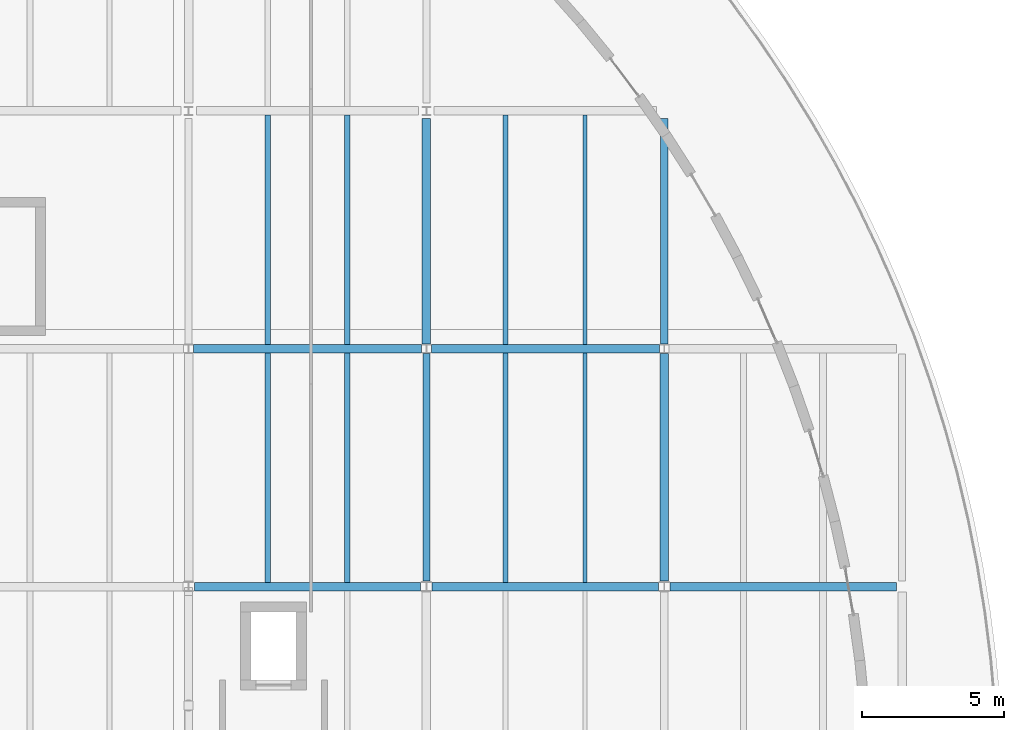
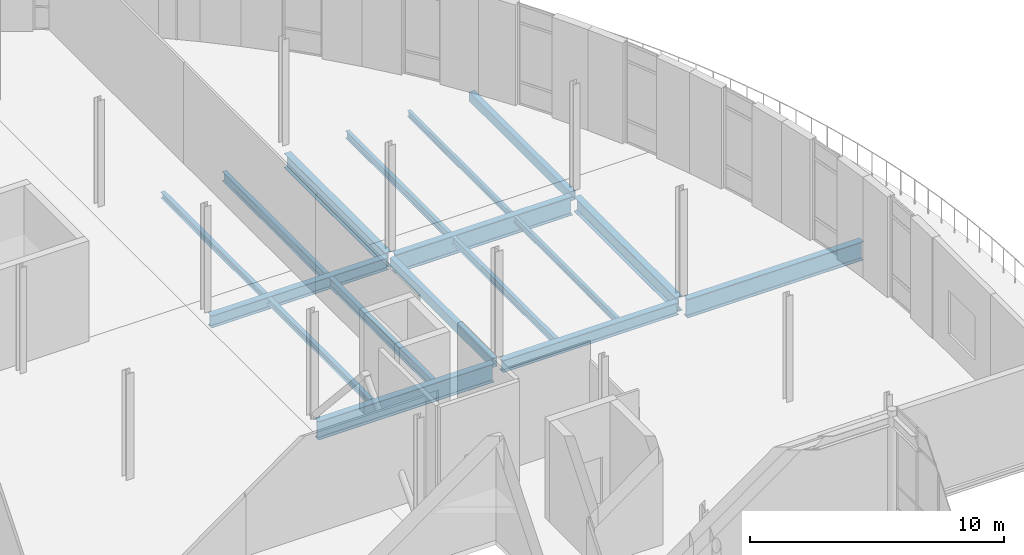
# One storey, part 52 of 91: 17 beams.
"""IFC4 building model written with IfcOpenShell, lengths in metres."""

from ifc_helpers import new_model, si_unit, direction, frame, origin, origin_2d, place, context, subcontext, project, spatial, hollow_rectangle, i_section, extrude, material, material_profile, profile_set, type_object, element, save


model = new_model("IFC4")

# Units and contexts
model_context = context("Model", 3, precision=1e-05, world=origin(), true_north=direction((0.0, 1.0)))
body_context = subcontext(model_context, "Body", "Model", "MODEL_VIEW")
ifc_project = project(units=[si_unit("LENGTHUNIT", "METRE"), si_unit("AREAUNIT", "SQUARE_METRE"), si_unit("VOLUMEUNIT", "CUBIC_METRE"), si_unit("PLANEANGLEUNIT", "RADIAN"), si_unit("MASSUNIT", "GRAM", prefix="KILO"), si_unit("THERMODYNAMICTEMPERATUREUNIT", "KELVIN")], contexts=[model_context])

# Site, building, storey
site_placement = place(None, origin())
site = spatial("IfcSite", under=ifc_project, at=site_placement, CompositionType="ELEMENT")
building_placement = place(site_placement, origin())
building = spatial("IfcBuilding", under=site, at=building_placement, Name="Lustrewick Department Store", CompositionType="ELEMENT")
storey_placement = place(building_placement, frame((0.0, 0.0, 21.60009765625)))
storey = spatial("IfcBuildingStorey", under=building, at=storey_placement, Name="L05", CompositionType="ELEMENT", Elevation=21.60009765625)

# Beams
ifc_material_1 = material(Name="Structural steel Q355B", Category="steel")
ifc_material_profile_1 = material_profile(ifc_material_1, i_section(OverallWidth=0.198974609375, OverallDepth=0.446044921875, WebThickness=0.008056640625, FlangeThickness=0.011962890625, FilletRadius=0.01611328125, at=origin_2d()), Name="HN 446x199x8x12")
ifc_profile_set_1 = profile_set([ifc_material_profile_1], Name="Structural steel Q355B")
beam_type_1 = type_object("IfcBeamType", Name="B04", PredefinedType="JOIST", material=ifc_profile_set_1)
beam_1_placement = place(storey_placement, frame((140.0, 67.349609375, -0.47802734375), z_axis=(0.0, 1.0, 0.0), x_axis=(-1.0, 0.0, 0.0)))
element("IfcBeam", 1, at=beam_1_placement, inside=storey, type_object=beam_type_1, Name="L05 V4 Secondary Joist B04", PredefinedType="JOIST", context=body_context, shape_type="SweptSolid", body=[
    extrude(i_section(OverallWidth=0.198974609375, OverallDepth=0.446044921875, WebThickness=0.008056640625, FlangeThickness=0.011962890625, FilletRadius=0.01611328125, at=origin_2d()), origin(), (0.0, 0.0, 1.0), 8.100341796875),
])
beam_2_placement = place(storey_placement, frame((140.0, 75.75, -0.47802734375), z_axis=(0.0, 1.0, 0.0), x_axis=(-1.0, 0.0, 0.0)))
element("IfcBeam", 2, at=beam_2_placement, inside=storey, type_object=beam_type_1, Name="L05 V4 Secondary Joist B04", PredefinedType="JOIST", context=body_context, shape_type="SweptSolid", body=[
    extrude(i_section(OverallWidth=0.198974609375, OverallDepth=0.446044921875, WebThickness=0.008056640625, FlangeThickness=0.011962890625, FilletRadius=0.01611328125, at=origin_2d()), origin(), (0.0, 0.0, 1.0), 8.10009765625),
])
ifc_material_profile_2 = material_profile(ifc_material_1, i_section(OverallWidth=0.175048828125, OverallDepth=0.35009765625, WebThickness=0.007080078125, FlangeThickness=0.010986328125, FilletRadius=0.012939453125, at=origin_2d()), Name="HN 350x175x7x11")
ifc_profile_set_2 = profile_set([ifc_material_profile_2], Name="Structural steel Q355B")
beam_type_2 = type_object("IfcBeamType", Name="B09", PredefinedType="JOIST", material=ifc_profile_set_2)
beam_3_placement = place(storey_placement, frame((145.60009765625, 67.35009765625, -0.43017578125), z_axis=(0.0, 1.0, 0.0), x_axis=(-1.0, 0.0, 0.0)))
element("IfcBeam", 3, at=beam_3_placement, inside=storey, type_object=beam_type_2, Name="L05 V4 Secondary Joist B09", PredefinedType="JOIST", context=body_context, shape_type="SweptSolid", body=[
    extrude(i_section(OverallWidth=0.175048828125, OverallDepth=0.35009765625, WebThickness=0.007080078125, FlangeThickness=0.010986328125, FilletRadius=0.012939453125, at=origin_2d()), origin(), (0.0, 0.0, 1.0), 8.099853515625),
])
beam_4_placement = place(storey_placement, frame((145.60009765625, 75.75, -0.43017578125), z_axis=(0.0, 1.0, 0.0), x_axis=(-1.0, 0.0, 0.0)))
element("IfcBeam", 4, at=beam_4_placement, inside=storey, type_object=beam_type_2, Name="L05 V4 Secondary Joist B09", PredefinedType="JOIST", context=body_context, shape_type="SweptSolid", body=[
    extrude(i_section(OverallWidth=0.175048828125, OverallDepth=0.35009765625, WebThickness=0.007080078125, FlangeThickness=0.010986328125, FilletRadius=0.012939453125, at=origin_2d()), origin(), (0.0, 0.0, 1.0), 8.10009765625),
])
ifc_material_profile_3 = material_profile(ifc_material_1, i_section(OverallWidth=0.14892578125, OverallDepth=0.298095703125, WebThickness=0.005615234375, FlangeThickness=0.008056640625, FilletRadius=0.011962890625, at=origin_2d()), Name="HN 298x149x5.5x8")
ifc_profile_set_3 = profile_set([ifc_material_profile_3], Name="Structural steel Q355B")
beam_type_3 = type_object("IfcBeamType", Name="B12", PredefinedType="JOIST", material=ifc_profile_set_3)
beam_5_placement = place(storey_placement, frame((148.39990234375, 67.35009765625, -0.404052734375), z_axis=(0.0, 1.0, 0.0), x_axis=(-1.0, 0.0, 0.0)))
element("IfcBeam", 5, at=beam_5_placement, inside=storey, type_object=beam_type_3, Name="L05 V4 Secondary Joist B12", PredefinedType="JOIST", context=body_context, shape_type="SweptSolid", body=[
    extrude(i_section(OverallWidth=0.14892578125, OverallDepth=0.298095703125, WebThickness=0.005615234375, FlangeThickness=0.008056640625, FilletRadius=0.011962890625, at=origin_2d()), origin(), (0.0, 0.0, 1.0), 8.099853515625),
])
beam_6_placement = place(storey_placement, frame((148.39990234375, 75.75, -0.404052734375), z_axis=(0.0, 1.0, 0.0), x_axis=(-1.0, 0.0, 0.0)))
element("IfcBeam", 6, at=beam_6_placement, inside=storey, type_object=beam_type_3, Name="L05 V4 Secondary Joist B12", PredefinedType="JOIST", context=body_context, shape_type="SweptSolid", body=[
    extrude(i_section(OverallWidth=0.14892578125, OverallDepth=0.298095703125, WebThickness=0.005615234375, FlangeThickness=0.008056640625, FilletRadius=0.011962890625, at=origin_2d()), origin(), (0.0, 0.0, 1.0), 8.10009765625),
])
ifc_material_profile_4 = material_profile(ifc_material_1, i_section(OverallWidth=0.199951171875, OverallDepth=0.2939453125, WebThickness=0.008056640625, FlangeThickness=0.011962890625, FilletRadius=0.013916015625, at=origin_2d()), Name="HM 294x200x8x12")
ifc_profile_set_4 = profile_set([ifc_material_profile_4], Name="Structural steel Q355B")
beam_type_4 = type_object("IfcBeamType", Name="B13", PredefinedType="JOIST", material=ifc_profile_set_4)
beam_7_placement = place(storey_placement, frame((137.199951171875, 67.349609375, -0.402099609375), z_axis=(0.0, 1.0, 0.0), x_axis=(-1.0, 0.0, 0.0)))
element("IfcBeam", 7, at=beam_7_placement, inside=storey, type_object=beam_type_4, Name="L05 V4 Secondary Joist B13", PredefinedType="JOIST", context=body_context, shape_type="SweptSolid", body=[
    extrude(i_section(OverallWidth=0.199951171875, OverallDepth=0.2939453125, WebThickness=0.008056640625, FlangeThickness=0.011962890625, FilletRadius=0.013916015625, at=origin_2d()), origin(), (0.0, 0.0, 1.0), 8.100341796875),
])
beam_8_placement = place(storey_placement, frame((137.199951171875, 75.75, -0.402099609375), z_axis=(0.0, 1.0, 0.0), x_axis=(-1.0, 0.0, 0.0)))
element("IfcBeam", 8, at=beam_8_placement, inside=storey, type_object=beam_type_4, Name="L05 V4 Secondary Joist B13", PredefinedType="JOIST", context=body_context, shape_type="SweptSolid", body=[
    extrude(i_section(OverallWidth=0.199951171875, OverallDepth=0.2939453125, WebThickness=0.008056640625, FlangeThickness=0.011962890625, FilletRadius=0.013916015625, at=origin_2d()), origin(), (0.0, 0.0, 1.0), 8.10009765625),
])
ifc_material_2 = material(Name="Structural steel Q355C", Category="steel")
ifc_material_profile_5 = material_profile(ifc_material_2, i_section(OverallWidth=0.300048828125, OverallDepth=0.89990234375, WebThickness=0.01611328125, FlangeThickness=0.028076171875, FilletRadius=0.02392578125, at=origin_2d()), Name="HN 900x300x16x28")
ifc_profile_set_5 = profile_set([ifc_material_profile_5], Name="Structural steel Q355C")
beam_type_5 = type_object("IfcBeamType", Name="G02", PredefinedType="BEAM", material=ifc_profile_set_5)
beam_9_placement = place(storey_placement, frame((151.40087890625, 67.199951171875, -0.705078125), z_axis=(1.0, 0.0, 0.0), x_axis=(0.0, 1.0, 0.0)))
element("IfcBeam", 9, at=beam_9_placement, inside=storey, type_object=beam_type_5, Name="L05 V4 Girder G02", PredefinedType="BEAM", context=body_context, shape_type="SweptSolid", body=[
    extrude(i_section(OverallWidth=0.300048828125, OverallDepth=0.89990234375, WebThickness=0.01611328125, FlangeThickness=0.028076171875, FilletRadius=0.02392578125, at=origin_2d()), origin(), (0.0, 0.0, 1.0), 7.998046875),
])
beam_10_placement = place(storey_placement, frame((142.97509765625, 75.60009765625, -0.705078125), z_axis=(1.0, 0.0, 0.0), x_axis=(0.0, 1.0, 0.0)))
element("IfcBeam", 10, at=beam_10_placement, inside=storey, type_object=beam_type_5, Name="L05 V4 Girder G02", PredefinedType="BEAM", context=body_context, shape_type="SweptSolid", body=[
    extrude(i_section(OverallWidth=0.300048828125, OverallDepth=0.89990234375, WebThickness=0.01611328125, FlangeThickness=0.028076171875, FilletRadius=0.02392578125, at=origin_2d()), origin(), (0.0, 0.0, 1.0), 8.0498046875),
])
ifc_material_profile_6 = material_profile(ifc_material_2, i_section(OverallWidth=0.299072265625, OverallDepth=0.889892578125, WebThickness=0.014892578125, FlangeThickness=0.02294921875, FilletRadius=0.02392578125, at=origin_2d()), Name="HN 890x299x15x23")
ifc_profile_set_6 = profile_set([ifc_material_profile_6], Name="Structural steel Q355C")
beam_type_6 = type_object("IfcBeamType", Name="G03", PredefinedType="BEAM", material=ifc_profile_set_6)
beam_11_placement = place(storey_placement, frame((134.60107421875, 67.199951171875, -0.7001953125), z_axis=(1.0, 0.0, 0.0), x_axis=(0.0, 1.0, 0.0)))
element("IfcBeam", 11, at=beam_11_placement, inside=storey, type_object=beam_type_6, Name="L05 V4 Girder G03", PredefinedType="BEAM", context=body_context, shape_type="SweptSolid", body=[
    extrude(i_section(OverallWidth=0.299072265625, OverallDepth=0.889892578125, WebThickness=0.014892578125, FlangeThickness=0.02294921875, FilletRadius=0.02392578125, at=origin_2d()), origin(), (0.0, 0.0, 1.0), 7.998046875),
])
ifc_material_profile_7 = material_profile(ifc_material_2, i_section(OverallWidth=0.302001953125, OverallDepth=0.7080078125, WebThickness=0.014892578125, FlangeThickness=0.028076171875, FilletRadius=0.02001953125, at=origin_2d()), Name="HN 708x302x15x28")
ifc_profile_set_7 = profile_set([ifc_material_profile_7], Name="Structural steel Q355C")
beam_type_7 = type_object("IfcBeamType", Name="G07", PredefinedType="BEAM", material=ifc_profile_set_7)
beam_12_placement = place(storey_placement, frame((142.800048828125, 75.77490234375, -0.609130859375), z_axis=(0.0, 1.0, 0.0), x_axis=(-1.0, 0.0, 0.0)))
element("IfcBeam", 12, at=beam_12_placement, inside=storey, type_object=beam_type_7, Name="L05 V4 Girder G07", PredefinedType="BEAM", context=body_context, shape_type="SweptSolid", body=[
    extrude(i_section(OverallWidth=0.302001953125, OverallDepth=0.7080078125, WebThickness=0.014892578125, FlangeThickness=0.028076171875, FilletRadius=0.02001953125, at=origin_2d()), origin(), (0.0, 0.0, 1.0), 7.9501953125),
])
beam_13_placement = place(storey_placement, frame((151.199951171875, 67.39404296875, -0.609130859375), z_axis=(0.0, 1.0, 0.0), x_axis=(-1.0, 0.0, 0.0)))
element("IfcBeam", 13, at=beam_13_placement, inside=storey, type_object=beam_type_7, Name="L05 V4 Girder G07", PredefinedType="BEAM", context=body_context, shape_type="SweptSolid", body=[
    extrude(i_section(OverallWidth=0.302001953125, OverallDepth=0.7080078125, WebThickness=0.014892578125, FlangeThickness=0.028076171875, FilletRadius=0.02001953125, at=origin_2d()), origin(), (0.0, 0.0, 1.0), 8.031005859375),
])
ifc_material_profile_8 = material_profile(ifc_material_1, i_section(OverallWidth=0.300048828125, OverallDepth=0.587890625, WebThickness=0.011962890625, FlangeThickness=0.02001953125, FilletRadius=0.02392578125, at=origin_2d()), Name="HM 588x300x12x20")
ifc_profile_set_8 = profile_set([ifc_material_profile_8], Name="Structural steel Q355B")
beam_type_8 = type_object("IfcBeamType", Name="G11", PredefinedType="BEAM", material=ifc_profile_set_8)
beam_14_placement = place(storey_placement, frame((143.0009765625, 67.199951171875, -0.549072265625), z_axis=(1.0, 0.0, 0.0), x_axis=(0.0, 1.0, 0.0)))
element("IfcBeam", 14, at=beam_14_placement, inside=storey, type_object=beam_type_8, Name="L05 V4 Girder G11", PredefinedType="BEAM", context=body_context, shape_type="SweptSolid", body=[
    extrude(i_section(OverallWidth=0.300048828125, OverallDepth=0.587890625, WebThickness=0.011962890625, FlangeThickness=0.02001953125, FilletRadius=0.02392578125, at=origin_2d()), origin(), (0.0, 0.0, 1.0), 7.998046875),
])
beam_15_placement = place(storey_placement, frame((134.574951171875, 75.60009765625, -0.549072265625), z_axis=(1.0, 0.0, 0.0), x_axis=(0.0, 1.0, 0.0)))
element("IfcBeam", 15, at=beam_15_placement, inside=storey, type_object=beam_type_8, Name="L05 V4 Girder G11", PredefinedType="BEAM", context=body_context, shape_type="SweptSolid", body=[
    extrude(i_section(OverallWidth=0.300048828125, OverallDepth=0.587890625, WebThickness=0.011962890625, FlangeThickness=0.02001953125, FilletRadius=0.02392578125, at=origin_2d()), origin(), (0.0, 0.0, 1.0), 8.050048828125),
])
ifc_material_profile_9 = material_profile(ifc_material_2, hollow_rectangle(XDim=0.25, YDim=0.449951171875, WallThickness=0.013916015625, at=origin_2d()), Name="RHS 450x250x14")
ifc_profile_set_9 = profile_set([ifc_material_profile_9], Name="Structural steel Q355C")
beam_type_9 = type_object("IfcBeamType", Name="G18", PredefinedType="BEAM", material=ifc_profile_set_9)
beam_16_placement = place(storey_placement, frame((142.800048828125, 67.39404296875, -0.47998046875), z_axis=(0.0, 1.0, 0.0), x_axis=(-1.0, 0.0, 0.0)))
element("IfcBeam", 16, at=beam_16_placement, inside=storey, type_object=beam_type_9, Name="L05 V4 Girder G18", PredefinedType="BEAM", context=body_context, shape_type="SweptSolid", body=[
    extrude(hollow_rectangle(XDim=0.25, YDim=0.449951171875, WallThickness=0.013916015625, at=origin_2d()), origin(), (0.0, 0.0, 1.0), 8.031005859375),
])
beam_17_placement = place(storey_placement, frame((151.199951171875, 75.77490234375, -0.47998046875), z_axis=(0.0, 1.0, 0.0), x_axis=(-1.0, 0.0, 0.0)))
element("IfcBeam", 17, at=beam_17_placement, inside=storey, type_object=beam_type_9, Name="L05 V4 Girder G18", PredefinedType="BEAM", context=body_context, shape_type="SweptSolid", body=[
    extrude(hollow_rectangle(XDim=0.25, YDim=0.449951171875, WallThickness=0.013916015625, at=origin_2d()), origin(), (0.0, 0.0, 1.0), 7.9501953125),
])

save(model, "model.ifc")
